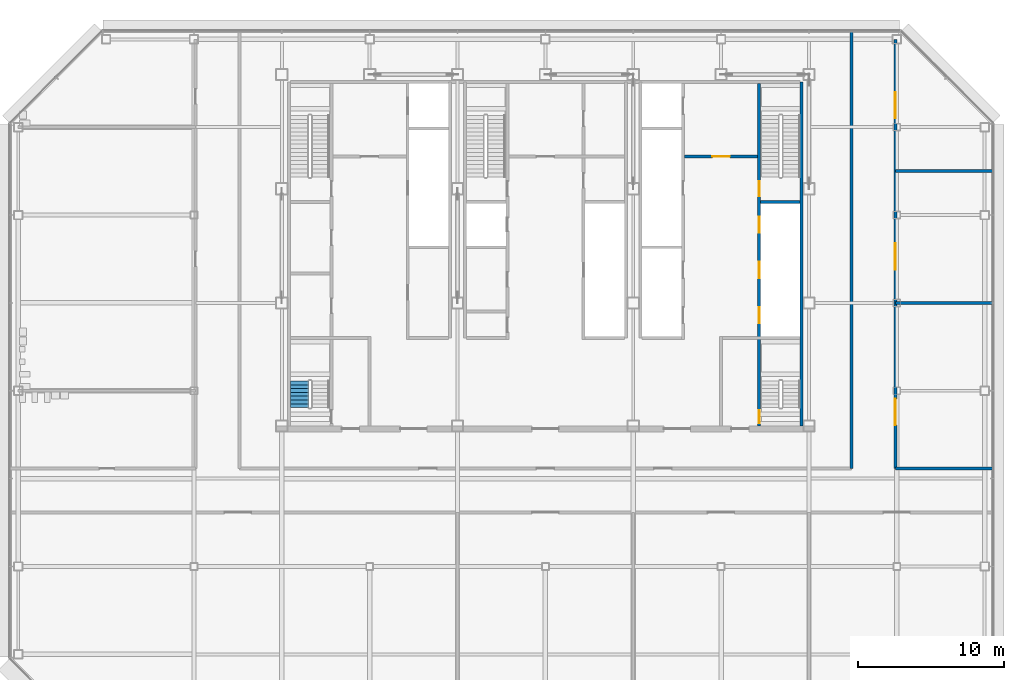
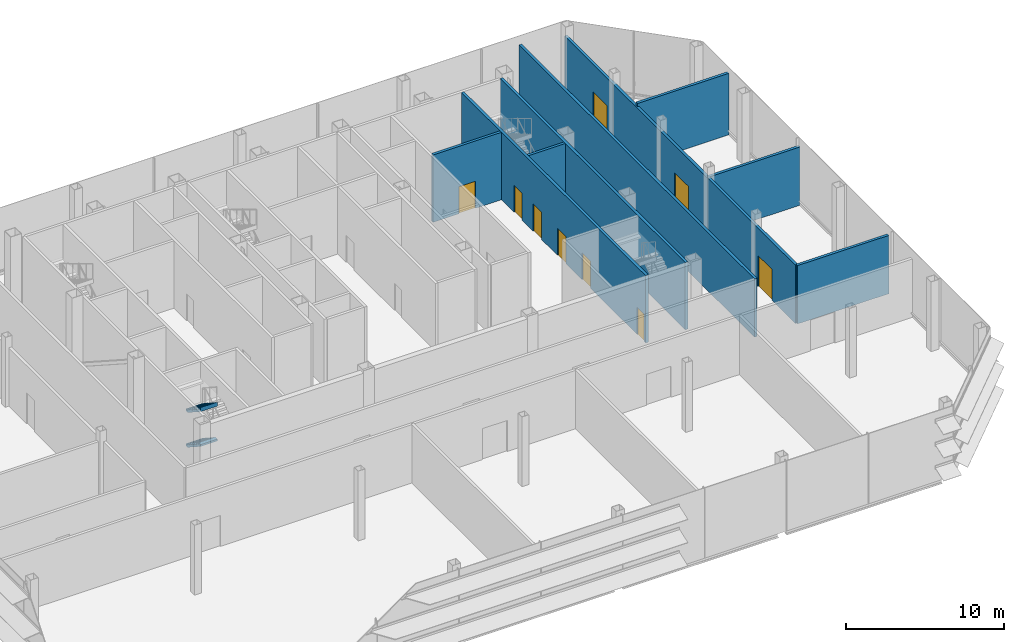
# One storey, part 21 of 26: 9 doors, 9 walls, 2 stair flights, 9 openings, 1 element without a shape of its own.
"""IFC4 building model written with IfcOpenShell, lengths in metres."""

from ifc_helpers import new_model, si_unit, direction, frame, frame_2d, origin, place, context, subcontext, project, spatial, polyline, rectangle, outline, extrude, material, layer, layer_set, type_object, element, fill, aggregate, save


model = new_model("IFC4")

# Units and contexts
model_context = context("Model", 3, precision=1e-05, world=origin(), true_north=direction((0.0, 1.0)))
body_context = subcontext(model_context, "Body", "Model", "MODEL_VIEW")
ifc_project = project(units=[si_unit("LENGTHUNIT", "METRE"), si_unit("AREAUNIT", "SQUARE_METRE"), si_unit("VOLUMEUNIT", "CUBIC_METRE"), si_unit("PLANEANGLEUNIT", "RADIAN"), si_unit("MASSUNIT", "GRAM", prefix="KILO")], contexts=[model_context])

# Site, building, storey
site_placement = place(None, origin())
site = spatial("IfcSite", under=ifc_project, at=site_placement, CompositionType="ELEMENT")
building_placement = place(site_placement, origin())
building = spatial("IfcBuilding", under=site, at=building_placement, Name="Sorahane Residences", CompositionType="ELEMENT")
storey_placement = place(building_placement, frame((0.0, 0.0, 257.60009765625)))
storey = spatial("IfcBuildingStorey", under=building, at=storey_placement, Name="L61", CompositionType="ELEMENT", Elevation=257.60009765625)

# Walls
ifc_material_1 = material(Name="Concrete C30", Category="concrete")
ifc_layer_1 = layer(ifc_material_1, 0.199951171875)
ifc_layer_set_1 = layer_set([ifc_layer_1], Name="Core face wall 200 EI 180")
wall_type_1 = type_object("IfcWallType", Name="Core face wall 200 EI 180", PredefinedType="SOLIDWALL", material=ifc_layer_set_1)
wall_1_placement = place(storey_placement, frame((41.5, 21.60009765625, 0.0), z_axis=(0.0, 0.0, 1.0), x_axis=(0.0, 1.0, 0.0)))
element("IfcWall", 1, at=wall_1_placement, inside=storey, type_object=wall_type_1, Name="L61 core face wall", PredefinedType="SOLIDWALL", context=body_context, shape_type="SweptSolid", body=[
    extrude(rectangle(XDim=23.5, YDim=0.199951171875, at=frame_2d((11.75, 0.0))), origin(), (0.0, 0.0, 1.0), 5.219970703125),
])
ifc_material_2 = material(Name="Concrete blockwork C20 wall", Category="masonry")
ifc_layer_2 = layer(ifc_material_2, 0.199951171875)
ifc_layer_set_2 = layer_set([ifc_layer_2], Name="Corridor wall 200 EI 120")
wall_type_2 = type_object("IfcWallType", Name="Corridor wall 200 EI 120", PredefinedType="SOLIDWALL", material=ifc_layer_set_2)
wall_2_placement = place(storey_placement, frame((44.89990234375, 18.699951171875, 0.0), z_axis=(0.0, 0.0, 1.0), x_axis=(0.0, 1.0, 0.0)))
element("IfcWall", 2, at=wall_2_placement, inside=storey, type_object=wall_type_2, Name="L61 corridor wall", PredefinedType="SOLIDWALL", context=body_context, shape_type="SweptSolid", body=[
    extrude(rectangle(XDim=29.900146484375, YDim=0.199951171875, at=frame_2d((14.9501953125, 0.0))), origin(), (0.0, 0.0, 1.0), 4.52001953125),
])

# Wall, openings, doors
wall_3_placement = place(storey_placement, frame((47.89990234375, 18.699951171875, 0.0), z_axis=(0.0, 0.0, 1.0), x_axis=(0.0, 1.0, 0.0)))
wall_3 = element("IfcWall", 3, at=wall_3_placement, inside=storey, type_object=wall_type_2, Name="L61 corridor wall", PredefinedType="SOLIDWALL", context=body_context, shape_type="SweptSolid", body=[
    extrude(rectangle(XDim=29.300048828125, YDim=0.199951171875, at=frame_2d((14.64990234375, 0.0))), origin(), (0.0, 0.0, 1.0), 4.52001953125),
])
opening_1_placement = place(wall_3_placement, frame((2.949951171875, 0.0, 0.0)))
opening_1 = element("IfcOpeningElement", 4, at=opening_1_placement, cuts=wall_3, Name="Opening L61-08", PredefinedType="OPENING", context=body_context, shape_type="SweptSolid", body=[
    extrude(rectangle(XDim=1.800048828125, YDim=2.39990234375, at=frame_2d((0.89990234375, 1.199951171875))), frame((0.0, 0.10986328125, 0.0), z_axis=(0.0, -1.0, 0.0), x_axis=(1.0, 0.0, 0.0)), (0.0, 0.0, 1.0), 0.219970703125),
])
opening_2_placement = place(wall_3_placement, frame((13.56005859375, 0.0, 0.0)))
opening_2 = element("IfcOpeningElement", 5, at=opening_2_placement, cuts=wall_3, Name="Opening L61-09", PredefinedType="OPENING", context=body_context, shape_type="SweptSolid", body=[
    extrude(rectangle(XDim=1.800048828125, YDim=2.39990234375, at=frame_2d((0.89990234375, 1.199951171875))), frame((0.0, 0.10986328125, 0.0), z_axis=(0.0, -1.0, 0.0), x_axis=(1.0, 0.0, 0.0)), (0.0, 0.0, 1.0), 0.219970703125),
])
opening_3_placement = place(wall_3_placement, frame((23.89990234375, 0.0, 0.0)))
opening_3 = element("IfcOpeningElement", 6, at=opening_3_placement, cuts=wall_3, Name="Opening L61-10", PredefinedType="OPENING", context=body_context, shape_type="SweptSolid", body=[
    extrude(rectangle(XDim=1.800048828125, YDim=2.39990234375, at=frame_2d((0.89990234375, 1.199951171875))), frame((0.0, 0.10986328125, 0.0), z_axis=(0.0, -1.0, 0.0), x_axis=(1.0, 0.0, 0.0)), (0.0, 0.0, 1.0), 0.219970703125),
])
ifc_material_3 = material(Name="Timber veneered fire door", Category="wood")
door_type_1 = type_object("IfcDoorType", Name="Double door 1800x2400 FD30", OperationType="NOTDEFINED", PredefinedType="DOOR", material=ifc_material_3)
door_1_placement = place(opening_1_placement, frame((1.800048828125, 0.0, 0.0), z_axis=(0.0, 0.0, 1.0), x_axis=(-1.0, 0.0, 0.0)))
door_1 = element("IfcDoor", 7, at=door_1_placement, inside=storey, type_object=door_type_1, Name="Double door L61-08", OperationType="SINGLE_SWING_RIGHT", OverallHeight=2.39990234375, OverallWidth=1.800048828125, PredefinedType="DOOR", context=body_context, shape_type="SweptSolid", body=[
    extrude(rectangle(XDim=1.800048828125, YDim=2.39990234375, at=frame_2d((0.89990234375, 1.199951171875))), frame((0.0, 0.02490234375, 0.0), z_axis=(0.0, -1.0, 0.0), x_axis=(1.0, 0.0, 0.0)), (0.0, 0.0, 1.0), 0.050048828125),
])
fill(opening_1, door_1)
door_2_placement = place(opening_2_placement, frame((1.800048828125, 0.0, 0.0), z_axis=(0.0, 0.0, 1.0), x_axis=(-1.0, 0.0, 0.0)))
door_2 = element("IfcDoor", 8, at=door_2_placement, inside=storey, type_object=door_type_1, Name="Double door L61-09", OperationType="SINGLE_SWING_LEFT", OverallHeight=2.39990234375, OverallWidth=1.800048828125, PredefinedType="DOOR", context=body_context, shape_type="SweptSolid", body=[
    extrude(rectangle(XDim=1.800048828125, YDim=2.39990234375, at=frame_2d((0.89990234375, 1.199951171875))), frame((0.0, 0.02490234375, 0.0), z_axis=(0.0, -1.0, 0.0), x_axis=(1.0, 0.0, 0.0)), (0.0, 0.0, 1.0), 0.050048828125),
])
fill(opening_2, door_2)
door_3_placement = place(opening_3_placement, frame((1.800048828125, 0.0, 0.0), z_axis=(0.0, 0.0, 1.0), x_axis=(-1.0, 0.0, 0.0)))
door_3 = element("IfcDoor", 9, at=door_3_placement, inside=storey, type_object=door_type_1, Name="Double door L61-10", OperationType="SINGLE_SWING_LEFT", OverallHeight=2.39990234375, OverallWidth=1.800048828125, PredefinedType="DOOR", context=body_context, shape_type="SweptSolid", body=[
    extrude(rectangle(XDim=1.800048828125, YDim=2.39990234375, at=frame_2d((0.89990234375, 1.199951171875))), frame((0.0, 0.02490234375, 0.0), z_axis=(0.0, -1.0, 0.0), x_axis=(1.0, 0.0, 0.0)), (0.0, 0.0, 1.0), 0.050048828125),
])
fill(opening_3, door_3)

# Walls
for number, where, z_axis, x_axis, name in (
    (10, (47.89990234375, 18.699951171875, 0.0), (0.0, 0.0, 1.0), (1.0, 0.0, 0.0), "L61 corridor wall"),
    (11, (47.89990234375, 30.0, 0.0), (0.0, 0.0, 1.0), (1.0, 0.0, 0.0), "L61 corridor wall"),
):
    element("IfcWall", number, at=place(storey_placement, frame(where, z_axis=z_axis, x_axis=x_axis)), inside=storey, type_object=wall_type_2, Name=name, PredefinedType="SOLIDWALL", context=body_context, shape_type="SweptSolid", body=[
        extrude(rectangle(XDim=6.7001953125, YDim=0.199951171875, at=frame_2d((3.35009765625, 0.0))), origin(), (0.0, 0.0, 1.0), 4.52001953125),
    ])
wall_4_placement = place(storey_placement, frame((47.89990234375, 39.0, 0.0), z_axis=(0.0, 0.0, 1.0), x_axis=(1.0, 0.0, 0.0)))
element("IfcWall", 12, at=wall_4_placement, inside=storey, type_object=wall_type_2, Name="L61 corridor wall", PredefinedType="SOLIDWALL", context=body_context, shape_type="SweptSolid", body=[
    extrude(rectangle(XDim=6.7001953125, YDim=0.199951171875, at=frame_2d((3.35009765625, 0.0))), origin(), (0.0, 0.0, 1.0), 4.77001953125),
])

# Wall, opening, door
ifc_material_4 = material(Name="Concrete C30", Category="concrete")
ifc_layer_3 = layer(ifc_material_4, 0.199951171875)
ifc_layer_set_3 = layer_set([ifc_layer_3], Name="Front room wall 200 EI 120")
wall_type_3 = type_object("IfcWallType", Name="Front room wall 200 EI 120", PredefinedType="PARTITIONING", material=ifc_layer_set_3)
wall_5_placement = place(storey_placement, frame((33.5, 40.0, 0.0), z_axis=(0.0, 0.0, 1.0), x_axis=(1.0, 0.0, 0.0)))
wall_5 = element("IfcWall", 13, at=wall_5_placement, inside=storey, type_object=wall_type_3, Name="L61 front room wall", PredefinedType="PARTITIONING", context=body_context, shape_type="SweptSolid", body=[
    extrude(rectangle(XDim=5.0, YDim=0.199951171875, at=frame_2d((2.5, 0.0))), origin(), (0.0, 0.0, 1.0), 5.219970703125),
])
opening_4_placement = place(wall_5_placement, frame((1.89990234375, 0.0, 0.0)))
opening_4 = element("IfcOpeningElement", 14, at=opening_4_placement, cuts=wall_5, Name="Opening L61-C08", PredefinedType="OPENING", context=body_context, shape_type="SweptSolid", body=[
    extrude(rectangle(XDim=1.199951171875, YDim=2.10009765625, at=frame_2d((0.60009765625, 1.050048828125))), frame((0.0, 0.10986328125, 0.0), z_axis=(0.0, -1.0, 0.0), x_axis=(1.0, 0.0, 0.0)), (0.0, 0.0, 1.0), 0.219970703125),
])
ifc_material_5 = material(Name="Steel", Category="steel")
door_type_2 = type_object("IfcDoorType", Name="Front room door 1200x2100 FD120", OperationType="NOTDEFINED", PredefinedType="DOOR", material=ifc_material_5)
door_4_placement = place(opening_4_placement, frame((1.199951171875, 0.0, 0.0), z_axis=(0.0, 0.0, 1.0), x_axis=(-1.0, 0.0, 0.0)))
door_4 = element("IfcDoor", 15, at=door_4_placement, inside=storey, type_object=door_type_2, Name="Front room door Firefighting lobby FF2 front room L61", OperationType="DOUBLE_DOOR_SINGLE_SWING", OverallHeight=2.10009765625, OverallWidth=1.199951171875, PredefinedType="DOOR", context=body_context, shape_type="SweptSolid", body=[
    extrude(rectangle(XDim=1.199951171875, YDim=2.10009765625, at=frame_2d((0.60009765625, 1.050048828125))), frame((0.0, 0.02490234375, 0.0), z_axis=(0.0, -1.0, 0.0), x_axis=(1.0, 0.0, 0.0)), (0.0, 0.0, 1.0), 0.050048828125),
])
fill(opening_4, door_4)

# Wall, openings, doors
ifc_material_6 = material(Name="Concrete C30", Category="concrete")
ifc_layer_4 = layer(ifc_material_6, 0.199951171875)
ifc_layer_set_4 = layer_set([ifc_layer_4], Name="Stair enclosure wall 200 EI 120")
wall_type_4 = type_object("IfcWallType", Name="Stair enclosure wall 200 EI 120", PredefinedType="SOLIDWALL", material=ifc_layer_set_4)
wall_6_placement = place(storey_placement, frame((38.60009765625, 21.60009765625, 0.0), z_axis=(0.0, 0.0, 1.0), x_axis=(0.0, 1.0, 0.0)))
wall_6 = element("IfcWall", 16, at=wall_6_placement, inside=storey, type_object=wall_type_4, Name="L61 stair enclosure wall", PredefinedType="SOLIDWALL", context=body_context, shape_type="SweptSolid", body=[
    extrude(rectangle(XDim=23.39990234375, YDim=0.199951171875, at=frame_2d((11.699951171875, 0.0))), origin(), (0.0, 0.0, 1.0), 5.219970703125),
])
opening_5_placement = place(wall_6_placement, frame((7.0, 0.0, 0.0)))
opening_5 = element("IfcOpeningElement", 17, at=opening_5_placement, cuts=wall_6, Name="Opening L61-C09", PredefinedType="OPENING", context=body_context, shape_type="SweptSolid", body=[
    extrude(rectangle(XDim=1.10009765625, YDim=2.10009765625, at=frame_2d((0.550048828125, 1.050048828125))), frame((0.0, 0.10986328125, 0.0), z_axis=(0.0, -1.0, 0.0), x_axis=(1.0, 0.0, 0.0)), (0.0, 0.0, 1.0), 0.219970703125),
])
opening_6_placement = place(wall_6_placement, frame((10.10009765625, 0.0, 0.0)))
opening_6 = element("IfcOpeningElement", 18, at=opening_6_placement, cuts=wall_6, Name="Opening L61-C10", PredefinedType="OPENING", context=body_context, shape_type="SweptSolid", body=[
    extrude(rectangle(XDim=1.10009765625, YDim=2.10009765625, at=frame_2d((0.550048828125, 1.050048828125))), frame((0.0, 0.10986328125, 0.0), z_axis=(0.0, -1.0, 0.0), x_axis=(1.0, 0.0, 0.0)), (0.0, 0.0, 1.0), 0.219970703125),
])
opening_7_placement = place(wall_6_placement, frame((13.199951171875, 0.0, 0.0)))
opening_7 = element("IfcOpeningElement", 19, at=opening_7_placement, cuts=wall_6, Name="Opening L61-C11", PredefinedType="OPENING", context=body_context, shape_type="SweptSolid", body=[
    extrude(rectangle(XDim=1.10009765625, YDim=2.10009765625, at=frame_2d((0.550048828125, 1.050048828125))), frame((0.0, 0.10986328125, 0.0), z_axis=(0.0, -1.0, 0.0), x_axis=(1.0, 0.0, 0.0)), (0.0, 0.0, 1.0), 0.219970703125),
])
opening_8_placement = place(wall_6_placement, frame((15.699951171875, 0.0, 0.0)))
opening_8 = element("IfcOpeningElement", 20, at=opening_8_placement, cuts=wall_6, Name="Opening L61-C22", PredefinedType="OPENING", context=body_context, shape_type="SweptSolid", body=[
    extrude(rectangle(XDim=1.0, YDim=2.10009765625, at=frame_2d((0.5, 1.050048828125))), frame((0.0, 0.10986328125, 0.0), z_axis=(0.0, -1.0, 0.0), x_axis=(1.0, 0.0, 0.0)), (0.0, 0.0, 1.0), 0.219970703125),
])
opening_9_placement = place(wall_6_placement, frame((0.175048828125, 0.0, 0.0)))
opening_9 = element("IfcOpeningElement", 21, at=opening_9_placement, cuts=wall_6, Name="Opening L61-C25", PredefinedType="OPENING", context=body_context, shape_type="SweptSolid", body=[
    extrude(rectangle(XDim=0.89990234375, YDim=2.10009765625, at=frame_2d((0.449951171875, 1.050048828125))), frame((0.0, 0.10986328125, 0.0), z_axis=(0.0, -1.0, 0.0), x_axis=(1.0, 0.0, 0.0)), (0.0, 0.0, 1.0), 0.219970703125),
])
ifc_material_7 = material(Name="Aluminium and stainless steel", Category="steel")
door_type_3 = type_object("IfcDoorType", Name="Lift landing door 1100x2100 E 60", OperationType="NOTDEFINED", PredefinedType="DOOR", material=ifc_material_7)
door_5_placement = place(opening_5_placement, origin())
door_5 = element("IfcDoor", 22, at=door_5_placement, inside=storey, type_object=door_type_3, Name="Lift landing door HR1 L61", OperationType="DOUBLE_DOOR_SLIDING", OverallHeight=2.10009765625, OverallWidth=1.10009765625, PredefinedType="DOOR", context=body_context, shape_type="SweptSolid", body=[
    extrude(rectangle(XDim=1.10009765625, YDim=2.10009765625, at=frame_2d((0.550048828125, 1.050048828125))), frame((0.0, 0.02490234375, 0.0), z_axis=(0.0, -1.0, 0.0), x_axis=(1.0, 0.0, 0.0)), (0.0, 0.0, 1.0), 0.050048828125),
])
fill(opening_5, door_5)
door_6_placement = place(opening_6_placement, origin())
door_6 = element("IfcDoor", 23, at=door_6_placement, inside=storey, type_object=door_type_3, Name="Lift landing door HR2 L61", OperationType="DOUBLE_DOOR_SLIDING", OverallHeight=2.10009765625, OverallWidth=1.10009765625, PredefinedType="DOOR", context=body_context, shape_type="SweptSolid", body=[
    extrude(rectangle(XDim=1.10009765625, YDim=2.10009765625, at=frame_2d((0.550048828125, 1.050048828125))), frame((0.0, 0.02490234375, 0.0), z_axis=(0.0, -1.0, 0.0), x_axis=(1.0, 0.0, 0.0)), (0.0, 0.0, 1.0), 0.050048828125),
])
fill(opening_6, door_6)
door_7_placement = place(opening_7_placement, origin())
door_7 = element("IfcDoor", 24, at=door_7_placement, inside=storey, type_object=door_type_3, Name="Lift landing door HR3 L61", OperationType="DOUBLE_DOOR_SLIDING", OverallHeight=2.10009765625, OverallWidth=1.10009765625, PredefinedType="DOOR", context=body_context, shape_type="SweptSolid", body=[
    extrude(rectangle(XDim=1.10009765625, YDim=2.10009765625, at=frame_2d((0.550048828125, 1.050048828125))), frame((0.0, 0.02490234375, 0.0), z_axis=(0.0, -1.0, 0.0), x_axis=(1.0, 0.0, 0.0)), (0.0, 0.0, 1.0), 0.050048828125),
])
fill(opening_7, door_7)
ifc_material_8 = material(Name="Steel", Category="steel")
door_type_4 = type_object("IfcDoorType", Name="Stair door 1000x2100 FD120", OperationType="NOTDEFINED", PredefinedType="DOOR", material=ifc_material_8)
door_8_placement = place(opening_8_placement, frame((1.0, 0.0, 0.0), z_axis=(0.0, 0.0, 1.0), x_axis=(-1.0, 0.0, 0.0)))
door_8 = element("IfcDoor", 25, at=door_8_placement, inside=storey, type_object=door_type_4, Name="Stair door S2 L61", OperationType="SINGLE_SWING_LEFT", OverallHeight=2.10009765625, OverallWidth=1.0, PredefinedType="DOOR", context=body_context, shape_type="SweptSolid", body=[
    extrude(rectangle(XDim=1.0, YDim=2.10009765625, at=frame_2d((0.5, 1.050048828125))), frame((0.0, 0.02490234375, 0.0), z_axis=(0.0, -1.0, 0.0), x_axis=(1.0, 0.0, 0.0)), (0.0, 0.0, 1.0), 0.050048828125),
])
fill(opening_8, door_8)
ifc_material_9 = material(Name="Steel", Category="steel")
door_type_5 = type_object("IfcDoorType", Name="Stair door 900x2100 FD120", OperationType="NOTDEFINED", PredefinedType="DOOR", material=ifc_material_9)
door_9_placement = place(opening_9_placement, frame((0.89990234375, 0.0, 0.0), z_axis=(0.0, 0.0, 1.0), x_axis=(-1.0, 0.0, 0.0)))
door_9 = element("IfcDoor", 26, at=door_9_placement, inside=storey, type_object=door_type_5, Name="Stair door S5 L61", OperationType="SINGLE_SWING_LEFT", OverallHeight=2.10009765625, OverallWidth=0.89990234375, PredefinedType="DOOR", context=body_context, shape_type="SweptSolid", body=[
    extrude(rectangle(XDim=0.89990234375, YDim=2.10009765625, at=frame_2d((0.449951171875, 1.050048828125))), frame((0.0, 0.02490234375, 0.0), z_axis=(0.0, -1.0, 0.0), x_axis=(1.0, 0.0, 0.0)), (0.0, 0.0, 1.0), 0.050048828125),
])
fill(opening_9, door_9)

# Wall
wall_7_placement = place(storey_placement, frame((38.699951171875, 36.89990234375, 0.0), z_axis=(0.0, 0.0, 1.0), x_axis=(1.0, 0.0, 0.0)))
element("IfcWall", 27, at=wall_7_placement, inside=storey, type_object=wall_type_4, Name="L61 stair enclosure wall", PredefinedType="SOLIDWALL", context=body_context, shape_type="SweptSolid", body=[
    extrude(rectangle(XDim=2.699951171875, YDim=0.199951171875, at=frame_2d((1.35009765625, 0.0))), origin(), (0.0, 0.0, 1.0), 5.219970703125),
])

# Stair, stair flights
ifc_material_10 = material(Name="Concrete C40", Category="concrete")
stair_type = type_object("IfcStairType", Name="Dog-leg stair 1250 Concrete C40", PredefinedType="HALF_TURN_STAIR", material=ifc_material_10)
stair_placement = place(storey_placement, origin())
stair = element("IfcStair", 28, at=stair_placement, inside=storey, type_object=stair_type, Name="L61 Stair S4", PredefinedType="HALF_TURN_STAIR")
ifc_material_11 = material(Name="Concrete C40", Category="concrete")
stair_flight_type = type_object("IfcStairFlightType", Name="Stair flight 1250 Concrete C40", PredefinedType="STRAIGHT", material=ifc_material_11)
stair_flight_1_placement = place(storey_placement, frame((7.22509765625, 24.669921875, 1.349853515625), z_axis=(0.0, 0.0, 1.0), x_axis=(0.0, -1.0, 0.0)))
stair_flight_1 = element("IfcStairFlight", 29, at=stair_flight_1_placement, type_object=stair_flight_type, Name="S4 flight 2", NumberOfRisers=8, NumberOfTreads=7, PredefinedType="STRAIGHT", RiserHeight=0.16875, TreadLength=0.26, context=body_context, shape_type="SweptSolid", body=[
    extrude(outline(polyline([(0.0, 0.0), (0.0, 0.002197265625), (0.0, 0.004150390625), (0.0, 0.00634765625), (0.0, 0.00830078125), (0.0, 0.010498046875), (0.0, 0.012451171875), (0.0, 0.0146484375), (0.0, 0.0166015625), (0.0, 0.018798828125), (0.0, 0.020751953125), (0.0, 0.02294921875), (0.0, 0.02490234375), (0.0, 0.027099609375), (0.0, 0.029052734375), (0.0, 0.03125), (0.0, 0.033447265625), (0.0, 0.035400390625), (0.0, 0.03759765625), (0.0, 0.03955078125), (0.0, 0.041748046875), (0.0, 0.043701171875), (0.0, 0.0458984375), (0.0, 0.0478515625), (0.0, 0.050048828125), (0.0, 0.052001953125), (0.0, 0.05419921875), (0.0, 0.05615234375), (0.0, 0.058349609375), (0.0, 0.060302734375), (0.0, 0.0625), (0.0, 0.064697265625), (0.0, 0.066650390625), (0.0, 0.06884765625), (0.0, 0.07080078125), (0.0, 0.072998046875), (0.0, 0.074951171875), (0.0, 0.0771484375), (0.0, 0.0791015625), (0.0, 0.081298828125), (0.0, 0.083251953125), (0.0, 0.08544921875), (0.0, 0.08740234375), (0.0, 0.089599609375), (0.0, 0.091552734375), (0.0, 0.09375), (0.0, 0.095947265625), (0.0, 0.097900390625), (0.0, 0.10009765625), (0.0, 0.10205078125), (0.0, 0.104248046875), (0.0, 0.106201171875), (0.0, 0.1083984375), (0.0, 0.1103515625), (0.0, 0.112548828125), (0.0, 0.114501953125), (0.0, 0.11669921875), (0.0, 0.11865234375), (0.0, 0.120849609375), (0.0, 0.122802734375), (0.0, 0.125), (0.0, 0.127197265625), (0.0, 0.129150390625), (0.0, 0.13134765625), (0.0, 0.13330078125), (0.0, 0.135498046875), (0.0, 0.137451171875), (0.0, 0.1396484375), (0.0, 0.1416015625), (0.0, 0.143798828125), (0.0, 0.145751953125), (0.0, 0.14794921875), (0.0, 0.14990234375), (0.0, 0.152099609375), (0.0, 0.154052734375), (0.0, 0.15625), (0.0, 0.158447265625), (0.0, 0.160400390625), (0.0, 0.16259765625), (0.0, 0.16455078125), (0.0, 0.166748046875), (0.0, 0.168701171875), (0.260009765625, 0.168701171875), (0.260009765625, 0.33740234375), (0.52001953125, 0.33740234375), (0.52001953125, 0.50634765625), (0.780029296875, 0.50634765625), (0.780029296875, 0.675048828125), (1.0400390625, 0.675048828125), (1.0400390625, 0.84375), (1.300048828125, 0.84375), (1.300048828125, 1.012451171875), (1.56005859375, 1.012451171875), (1.56005859375, 1.18115234375), (1.820068359375, 1.18115234375), (1.820068359375, 1.35009765625), (1.820068359375, 1.34619140625), (1.820068359375, 1.34228515625), (1.820068359375, 1.33837890625), (1.820068359375, 1.334716796875), (1.820068359375, 1.330810546875), (1.820068359375, 1.326904296875), (1.820068359375, 1.322998046875), (1.820068359375, 1.319091796875), (1.820068359375, 1.3154296875), (1.820068359375, 1.3115234375), (1.820068359375, 1.3076171875), (1.820068359375, 1.3037109375), (1.820068359375, 1.300048828125), (1.820068359375, 1.296142578125), (1.820068359375, 1.292236328125), (1.820068359375, 1.288330078125), (1.820068359375, 1.284423828125), (1.820068359375, 1.28076171875), (1.820068359375, 1.27685546875), (1.820068359375, 1.27294921875), (1.820068359375, 1.26904296875), (1.820068359375, 1.265380859375), (1.820068359375, 1.261474609375), (1.820068359375, 1.257568359375), (1.820068359375, 1.253662109375), (1.820068359375, 1.249755859375), (1.820068359375, 1.24609375), (1.820068359375, 1.2421875), (1.820068359375, 1.23828125), (1.820068359375, 1.234375), (1.820068359375, 1.230712890625), (1.820068359375, 1.226806640625), (1.820068359375, 1.222900390625), (1.820068359375, 1.218994140625), (1.820068359375, 1.215087890625), (1.820068359375, 1.21142578125), (1.820068359375, 1.20751953125), (1.820068359375, 1.20361328125), (1.820068359375, 1.19970703125), (1.820068359375, 1.196044921875), (1.820068359375, 1.192138671875), (1.820068359375, 1.188232421875), (1.820068359375, 1.184326171875), (1.820068359375, 1.1806640625), (1.820068359375, 1.1767578125), (1.820068359375, 1.1728515625), (1.820068359375, 1.1689453125), (1.820068359375, 1.1650390625), (1.820068359375, 1.161376953125), (1.820068359375, 1.157470703125), (1.820068359375, 1.153564453125), (1.820068359375, 1.149658203125), (1.820068359375, 1.14599609375), (1.820068359375, 1.14208984375), (1.820068359375, 1.13818359375), (1.820068359375, 1.13427734375), (1.820068359375, 1.13037109375), (1.820068359375, 1.126708984375), (1.820068359375, 1.122802734375), (1.820068359375, 1.118896484375), (1.820068359375, 1.114990234375), (1.820068359375, 1.111328125), (1.820068359375, 1.107421875), (1.820068359375, 1.103515625), (1.820068359375, 1.099609375), (1.820068359375, 1.095703125), (1.820068359375, 1.092041015625), (1.820068359375, 1.088134765625), (1.820068359375, 1.084228515625), (1.820068359375, 1.080322265625), (1.820068359375, 1.07666015625), (1.820068359375, 1.07275390625), (1.820068359375, 1.06884765625), (1.820068359375, 1.06494140625), (1.820068359375, 1.061279296875), (1.820068359375, 1.057373046875), (1.820068359375, 1.053466796875), (1.820068359375, 1.049560546875), (1.820068359375, 1.045654296875), (1.820068359375, 1.0419921875), (1.820068359375, 1.0380859375), (1.6201171875, 0.908203125), (1.420166015625, 0.778564453125), (1.22021484375, 0.648681640625), (1.020263671875, 0.51904296875), (0.8203125, 0.38916015625), (0.620361328125, 0.259521484375), (0.420654296875, 0.129638671875), (0.220703125, 0.0), (0.0, 0.0)])), frame((0.0, 0.625, 0.0), z_axis=(0.0, -1.0, 0.0), x_axis=(1.0, 0.0, 0.0)), (0.0, 0.0, 1.0), 1.25),
])
stair_flight_2_placement = place(storey_placement, frame((7.22509765625, 24.669921875, 4.0498046875), z_axis=(0.0, 0.0, 1.0), x_axis=(0.0, -1.0, 0.0)))
stair_flight_2 = element("IfcStairFlight", 30, at=stair_flight_2_placement, type_object=stair_flight_type, Name="S4 flight 4", NumberOfRisers=8, NumberOfTreads=7, PredefinedType="STRAIGHT", RiserHeight=0.16875, TreadLength=0.26, context=body_context, shape_type="SweptSolid", body=[
    extrude(outline(polyline([(0.0, 0.0), (0.0, 0.002197265625), (0.0, 0.004150390625), (0.0, 0.00634765625), (0.0, 0.00830078125), (0.0, 0.010498046875), (0.0, 0.012451171875), (0.0, 0.0146484375), (0.0, 0.0166015625), (0.0, 0.018798828125), (0.0, 0.020751953125), (0.0, 0.02294921875), (0.0, 0.02490234375), (0.0, 0.027099609375), (0.0, 0.029052734375), (0.0, 0.03125), (0.0, 0.033447265625), (0.0, 0.035400390625), (0.0, 0.03759765625), (0.0, 0.03955078125), (0.0, 0.041748046875), (0.0, 0.043701171875), (0.0, 0.0458984375), (0.0, 0.0478515625), (0.0, 0.050048828125), (0.0, 0.052001953125), (0.0, 0.05419921875), (0.0, 0.05615234375), (0.0, 0.058349609375), (0.0, 0.060302734375), (0.0, 0.0625), (0.0, 0.064697265625), (0.0, 0.066650390625), (0.0, 0.06884765625), (0.0, 0.07080078125), (0.0, 0.072998046875), (0.0, 0.074951171875), (0.0, 0.0771484375), (0.0, 0.0791015625), (0.0, 0.081298828125), (0.0, 0.083251953125), (0.0, 0.08544921875), (0.0, 0.08740234375), (0.0, 0.089599609375), (0.0, 0.091552734375), (0.0, 0.09375), (0.0, 0.095947265625), (0.0, 0.097900390625), (0.0, 0.10009765625), (0.0, 0.10205078125), (0.0, 0.104248046875), (0.0, 0.106201171875), (0.0, 0.1083984375), (0.0, 0.1103515625), (0.0, 0.112548828125), (0.0, 0.114501953125), (0.0, 0.11669921875), (0.0, 0.11865234375), (0.0, 0.120849609375), (0.0, 0.122802734375), (0.0, 0.125), (0.0, 0.127197265625), (0.0, 0.129150390625), (0.0, 0.13134765625), (0.0, 0.13330078125), (0.0, 0.135498046875), (0.0, 0.137451171875), (0.0, 0.1396484375), (0.0, 0.1416015625), (0.0, 0.143798828125), (0.0, 0.145751953125), (0.0, 0.14794921875), (0.0, 0.14990234375), (0.0, 0.152099609375), (0.0, 0.154052734375), (0.0, 0.15625), (0.0, 0.158447265625), (0.0, 0.160400390625), (0.0, 0.16259765625), (0.0, 0.16455078125), (0.0, 0.166748046875), (0.0, 0.168701171875), (0.260009765625, 0.168701171875), (0.260009765625, 0.33740234375), (0.52001953125, 0.33740234375), (0.52001953125, 0.50634765625), (0.780029296875, 0.50634765625), (0.780029296875, 0.675048828125), (1.0400390625, 0.675048828125), (1.0400390625, 0.84375), (1.300048828125, 0.84375), (1.300048828125, 1.012451171875), (1.56005859375, 1.012451171875), (1.56005859375, 1.18115234375), (1.820068359375, 1.18115234375), (1.820068359375, 1.35009765625), (1.821533203125, 1.35009765625), (1.821533203125, 1.34619140625), (1.821533203125, 1.34228515625), (1.821533203125, 1.33837890625), (1.821533203125, 1.334716796875), (1.821533203125, 1.330810546875), (1.821533203125, 1.326904296875), (1.821533203125, 1.322998046875), (1.821533203125, 1.319091796875), (1.821533203125, 1.3154296875), (1.821533203125, 1.3115234375), (1.821533203125, 1.3076171875), (1.821533203125, 1.3037109375), (1.821533203125, 1.300048828125), (1.821533203125, 1.296142578125), (1.821533203125, 1.292236328125), (1.821533203125, 1.288330078125), (1.821533203125, 1.284423828125), (1.821533203125, 1.28076171875), (1.821533203125, 1.27685546875), (1.821533203125, 1.27294921875), (1.821533203125, 1.26904296875), (1.821533203125, 1.265380859375), (1.821533203125, 1.261474609375), (1.821533203125, 1.257568359375), (1.821533203125, 1.253662109375), (1.821533203125, 1.249755859375), (1.821533203125, 1.24609375), (1.821533203125, 1.2421875), (1.821533203125, 1.23828125), (1.821533203125, 1.234375), (1.821533203125, 1.230712890625), (1.821533203125, 1.226806640625), (1.821533203125, 1.222900390625), (1.821533203125, 1.218994140625), (1.821533203125, 1.215087890625), (1.821533203125, 1.21142578125), (1.821533203125, 1.20751953125), (1.821533203125, 1.20361328125), (1.821533203125, 1.19970703125), (1.821533203125, 1.196044921875), (1.821533203125, 1.192138671875), (1.821533203125, 1.188232421875), (1.821533203125, 1.184326171875), (1.821533203125, 1.1806640625), (1.821533203125, 1.1767578125), (1.821533203125, 1.1728515625), (1.821533203125, 1.1689453125), (1.821533203125, 1.1650390625), (1.821533203125, 1.161376953125), (1.821533203125, 1.157470703125), (1.821533203125, 1.153564453125), (1.821533203125, 1.149658203125), (1.821533203125, 1.14599609375), (1.821533203125, 1.14208984375), (1.821533203125, 1.13818359375), (1.821533203125, 1.13427734375), (1.821533203125, 1.13037109375), (1.821533203125, 1.126708984375), (1.821533203125, 1.122802734375), (1.821533203125, 1.118896484375), (1.821533203125, 1.114990234375), (1.821533203125, 1.111328125), (1.821533203125, 1.107421875), (1.821533203125, 1.103515625), (1.821533203125, 1.099609375), (1.821533203125, 1.095703125), (1.821533203125, 1.092041015625), (1.821533203125, 1.088134765625), (1.821533203125, 1.084228515625), (1.821533203125, 1.080322265625), (1.821533203125, 1.07666015625), (1.821533203125, 1.07275390625), (1.821533203125, 1.06884765625), (1.821533203125, 1.06494140625), (1.821533203125, 1.061279296875), (1.821533203125, 1.057373046875), (1.821533203125, 1.053466796875), (1.821533203125, 1.049560546875), (1.821533203125, 1.045654296875), (1.821533203125, 1.0419921875), (1.821533203125, 1.0380859375), (1.6435546875, 0.922607421875), (1.4658203125, 0.807373046875), (1.287841796875, 0.692138671875), (1.110107421875, 0.57666015625), (0.93212890625, 0.46142578125), (0.754150390625, 0.345947265625), (0.576416015625, 0.230712890625), (0.3984375, 0.115234375), (0.220703125, 0.0), (0.0, 0.0)])), frame((0.0, 0.625, 0.0), z_axis=(0.0, -1.0, 0.0), x_axis=(1.0, 0.0, 0.0)), (0.0, 0.0, 1.0), 1.25),
])
aggregate(stair, [stair_flight_1, stair_flight_2])

save(model, "model.ifc")
